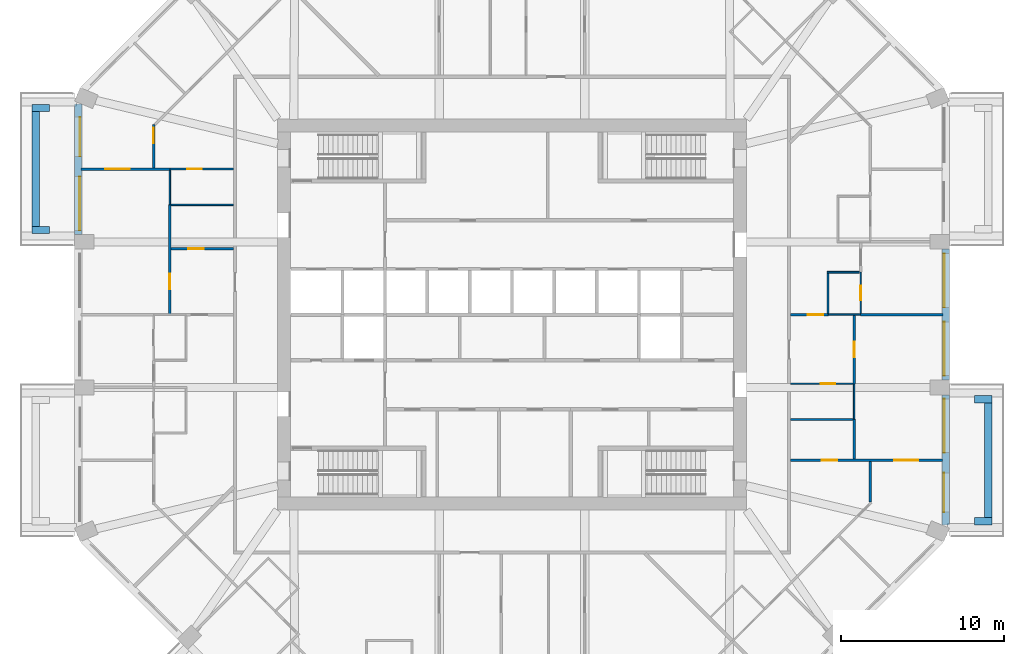
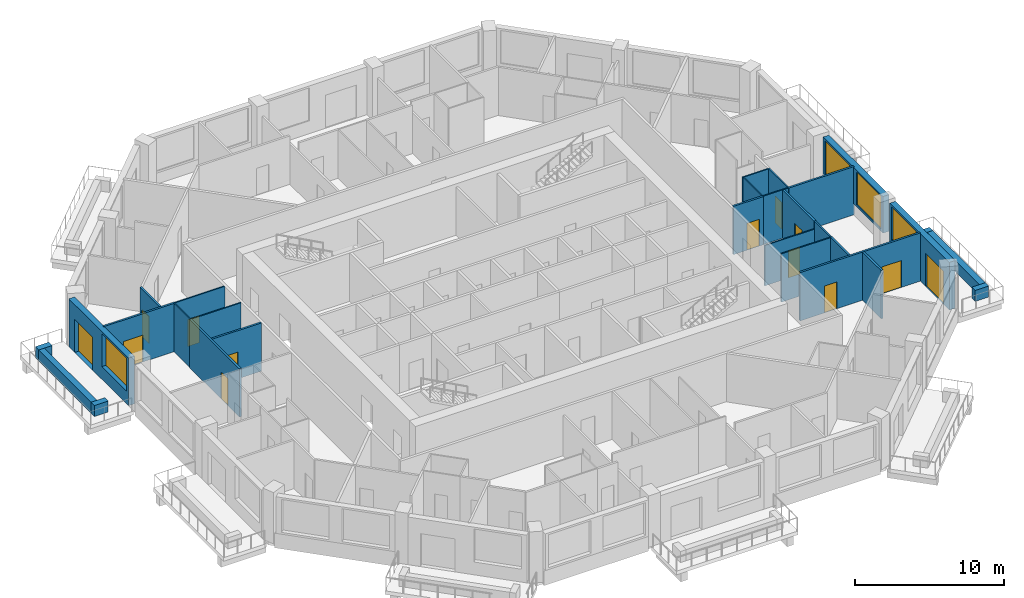
# One storey, part 7 of 13: 29 walls, 13 doors, 4 windows, 17 openings.
"""IFC4 building model written with IfcOpenShell, lengths in metres."""

import ifcopenshell
import ifcopenshell.guid

model = None  # the IFC model being written
_history = None  # IfcOwnerHistory: only IFC2X3 demands one
_inside = {}  # id of a spatial element -> (the spatial element, [elements in it])
_under = {}  # id of a project, library or spatial element -> (it, [spatial elements below it])
_declared = {}  # id of a project -> (the project, [libraries it declares])
_typed = {}  # id of a type object -> (the type object, [elements of that type])
_made_of = {}  # id of a material, layer set ... -> (it, [elements and type objects made of it])


def new_model(schema):
    """Start an empty IFC model of exactly this schema.

    Asked for "IFC4X3", IfcOpenShell would pick the latest addendum, in which some entities
    have other attributes; the version numbers below select the first issue.
    IFC2X3 requires an IfcOwnerHistory on every rooted entity: one is made here for all.
    """
    global model, _history
    if schema == "IFC4X3":
        model = ifcopenshell.file(schema_version=(4, 3, 0, 0))
    else:
        model = ifcopenshell.file(schema=schema)
    _inside.clear()
    _under.clear()
    _declared.clear()
    _typed.clear()
    _made_of.clear()
    _history = None
    if model.schema == "IFC2X3":
        org = make("IfcOrganization", Name="unknown")
        user = make(
            "IfcPersonAndOrganization",
            ThePerson=make("IfcPerson", FamilyName="unknown"),
            TheOrganization=org,
        )
        app = make(
            "IfcApplication",
            ApplicationDeveloper=org,
            Version="unknown",
            ApplicationFullName="unknown",
            ApplicationIdentifier="unknown",
        )
        _history = make(
            "IfcOwnerHistory",
            OwningUser=user,
            OwningApplication=app,
            ChangeAction="ADDED",
            CreationDate=0,
        )
    return model


def make(cls, **values):
    """One entity of the class cls with the attributes given. An attribute that is None is left unset."""
    return model.create_entity(
        cls, **{name: value for name, value in values.items() if value is not None}
    )


def rooted(cls, **values):
    """An entity with a GlobalId (a new one), such as an element, a storey or a relation."""
    return make(cls, GlobalId=ifcopenshell.guid.new(), OwnerHistory=_history, **values)


def si_unit(unit_type, name, prefix=None):
    """IfcSIUnit, for example si_unit("LENGTHUNIT", "METRE", prefix="MILLI")."""
    return make("IfcSIUnit", UnitType=unit_type, Prefix=prefix, Name=name)


def assignment(units):
    """IfcUnitAssignment: the units of a project."""
    return None if units is None else make("IfcUnitAssignment", Units=units)


def point(xyz):
    """IfcCartesianPoint."""
    return None if xyz is None else make("IfcCartesianPoint", Coordinates=xyz)


def direction(xyz):
    """IfcDirection."""
    return None if xyz is None else make("IfcDirection", DirectionRatios=xyz)


def frame(location, z_axis=None, x_axis=None):
    """IfcAxis2Placement3D, a coordinate frame: its origin and axes. An axis left out is left unset."""
    return make(
        "IfcAxis2Placement3D",
        Location=point(location),
        Axis=direction(z_axis),
        RefDirection=direction(x_axis),
    )


def frame_2d(location, x_axis=None):
    """IfcAxis2Placement2D, a coordinate frame in the plane: its origin and x axis."""
    return make(
        "IfcAxis2Placement2D", Location=point(location), RefDirection=direction(x_axis)
    )


def origin():
    """The frame at (0, 0, 0) with its axes left unset."""
    return frame((0.0, 0.0, 0.0))


def place(relative_to, where):
    """IfcLocalPlacement: puts the frame where relative to a parent placement (None: the world)."""
    return make(
        "IfcLocalPlacement", PlacementRelTo=relative_to, RelativePlacement=where
    )


def context(
    kind, dimensions, precision=None, world=None, true_north=None, identifier=None
):
    """IfcGeometricRepresentationContext, for example the 3D "Model" context."""
    return make(
        "IfcGeometricRepresentationContext",
        ContextIdentifier=identifier,
        ContextType=kind,
        CoordinateSpaceDimension=dimensions,
        Precision=precision,
        WorldCoordinateSystem=world,
        TrueNorth=true_north,
    )


def subcontext(parent, identifier, kind, view, scale=None):
    """IfcGeometricRepresentationSubContext, for example "Body" below "Model"."""
    return make(
        "IfcGeometricRepresentationSubContext",
        ContextIdentifier=identifier,
        ContextType=kind,
        ParentContext=parent,
        TargetScale=scale,
        TargetView=view,
    )


def project(units=None, contexts=None):
    """IfcProject with its units and contexts."""
    return rooted(
        "IfcProject",
        Name="project",
        RepresentationContexts=contexts,
        UnitsInContext=assignment(units),
    )


def spatial(cls, under=None, at=None, **own):
    """A site, building, storey or space (cls), placed at a placement, below another one or the project."""
    s = rooted(cls, ObjectPlacement=at, **own)
    if under is not None:
        _under.setdefault(under.id(), (under, []))[1].append(s)
    return s


def profile(cls, at=None, kind="AREA", **sizes):
    """A parametric profile (cls). Its sizes go by their IFC names, for example OverallWidth=200.0."""
    return make(cls, ProfileType=kind, Position=at, **sizes)


def rectangle(**sizes):
    """IfcRectangleProfileDef."""
    return profile("IfcRectangleProfileDef", **sizes)


def extrude(swept, where, along, depth):
    """IfcExtrudedAreaSolid: the profile swept, set in the frame where, extruded along a direction by depth."""
    return make(
        "IfcExtrudedAreaSolid",
        SweptArea=swept,
        Position=where,
        ExtrudedDirection=direction(along),
        Depth=depth,
    )


def shape(context_of_items, identifier, shape_type, items):
    """IfcShapeRepresentation: the items that make up one representation, for example the "Body"."""
    return make(
        "IfcShapeRepresentation",
        ContextOfItems=context_of_items,
        RepresentationIdentifier=identifier,
        RepresentationType=shape_type,
        Items=items,
    )


def material(Name=None, Category=None):
    """IfcMaterial."""
    return make("IfcMaterial", Name=Name, Category=Category)


def layer(
    of_material, thickness, ventilated=None, Name=None, Category=None, Priority=None
):
    """IfcMaterialLayer: one layer of a wall or slab, of a material (None: an air gap)."""
    return make(
        "IfcMaterialLayer",
        Material=of_material,
        LayerThickness=thickness,
        IsVentilated=ventilated,
        Name=Name,
        Category=Category,
        Priority=Priority,
    )


def layer_set(layers, Name=None):
    """IfcMaterialLayerSet."""
    return make("IfcMaterialLayerSet", MaterialLayers=layers, LayerSetName=Name)


def made_of(thing, what):
    """Note that an element or type object is made of a material, layer set ...; save() writes the relation."""
    if what is not None:
        _made_of.setdefault(what.id(), (what, []))[1].append(thing)
    return thing


def type_object(cls, material=None, **own):
    """A type object (cls), such as IfcWallType, which elements share."""
    return made_of(rooted(cls, **own), material)


def element(
    cls,
    number,
    at=None,
    inside=None,
    cuts=None,
    type_object=None,
    material=None,
    context=None,
    identifier="Body",
    shape_type=None,
    held_by="IfcProductDefinitionShape",
    body=None,
    shapes=None,
    **own,
):
    """One element of the class cls, such as IfcWall. Its Tag is "e" and its number.

    at: its placement. inside: the storey or other place that contains it. cuts: it is an
    opening in that element (IfcRelVoidsElement). A single representation is given by context,
    identifier, shape_type and body (its items); several are given by shapes. held_by: the class
    of the entity that holds the representations. save() writes the other relations.
    """
    e = rooted(cls, Tag="e%d" % number, ObjectPlacement=at, **own)
    if body is not None:
        shapes = [shape(context, identifier, shape_type, body)]
    if shapes is not None:
        e.Representation = make(held_by, Representations=shapes)
    if inside is not None:
        _inside.setdefault(inside.id(), (inside, []))[1].append(e)
    if cuts is not None:
        rooted(
            "IfcRelVoidsElement", RelatingBuildingElement=cuts, RelatedOpeningElement=e
        )
    if type_object is not None:
        _typed.setdefault(type_object.id(), (type_object, []))[1].append(e)
    return made_of(e, material)


def fill(opening, filler):
    """IfcRelFillsElement: the door or window that sits in an opening."""
    return rooted(
        "IfcRelFillsElement",
        RelatingOpeningElement=opening,
        RelatedBuildingElement=filler,
    )


def aggregate(whole, parts):
    """IfcRelAggregates: a whole, such as a stair, and the parts it consists of."""
    return rooted("IfcRelAggregates", RelatingObject=whole, RelatedObjects=parts)


def save(model, path):
    """Write the relations noted so far, then the file.

    IfcRelAggregates (storeys below a building ...), IfcRelContainedInSpatialStructure (elements
    in a storey), IfcRelDefinesByType, IfcRelAssociatesMaterial and IfcRelDeclares: one each for
    every whole, place, type object, material and project.
    """
    for whole, parts in _under.values():
        aggregate(whole, parts)
    for where, things in _inside.values():
        rooted(
            "IfcRelContainedInSpatialStructure",
            RelatedElements=things,
            RelatingStructure=where,
        )
    for kind, things in _typed.values():
        rooted("IfcRelDefinesByType", RelatedObjects=things, RelatingType=kind)
    for what, things in _made_of.values():
        rooted("IfcRelAssociatesMaterial", RelatedObjects=things, RelatingMaterial=what)
    for by, libraries in _declared.values():
        rooted("IfcRelDeclares", RelatingContext=by, RelatedDefinitions=libraries)
    model.write(path)


model = new_model("IFC4")

# Units and contexts
model_context = context("Model", 3, precision=1e-05, world=origin(), true_north=direction((0.0, 1.0)))
body_context = subcontext(model_context, "Body", "Model", "MODEL_VIEW")
ifc_project = project(units=[si_unit("LENGTHUNIT", "METRE"), si_unit("AREAUNIT", "SQUARE_METRE"), si_unit("VOLUMEUNIT", "CUBIC_METRE"), si_unit("PLANEANGLEUNIT", "RADIAN"), si_unit("MASSUNIT", "GRAM", prefix="KILO")], contexts=[model_context])

# Site, building, storey
site_placement = place(None, origin())
site = spatial("IfcSite", under=ifc_project, at=site_placement, CompositionType="ELEMENT")
building_placement = place(site_placement, origin())
building = spatial("IfcBuilding", under=site, at=building_placement, Name="Msitu Wima Residences", CompositionType="ELEMENT")
storey_placement = place(building_placement, frame((0.0, 0.0, 131.699951171875)))
storey = spatial("IfcBuildingStorey", under=building, at=storey_placement, Name="L30", CompositionType="ELEMENT", Elevation=131.699951171875)

# Walls
ifc_material_1 = material(Name="Facing brick")
ifc_layer_1 = layer(ifc_material_1, 0.06494140625, Name="Facing brick")
ifc_material_2 = material(Name="Concrete C40/50", Category="concrete")
ifc_layer_2 = layer(ifc_material_2, 0.156005859375, Name="Concrete C40/50")
ifc_material_3 = material(Name="Waterproofing membrane")
ifc_layer_3 = layer(ifc_material_3, 0.00390625, Name="Waterproofing membrane")
ifc_material_4 = material(Name="Planting soil and planting")
ifc_layer_4 = layer(ifc_material_4, 0.22509765625, Name="Planting soil and planting")
ifc_layer_set_1 = layer_set([ifc_layer_1, ifc_layer_2, ifc_layer_3, ifc_layer_4], Name="Concrete C40/50")
wall_type_1 = type_object("IfcWallType", Name="Balcony planter PLANTER PL450", PredefinedType="USERDEFINED", material=ifc_layer_set_1)
wall_1_placement = place(storey_placement, frame((29.22509765625, -12.455810546875, 0.0), z_axis=(0.0, 0.0, 1.0), x_axis=(0.0, 1.0, 0.0)))
element("IfcWall", 1, at=wall_1_placement, inside=storey, type_object=wall_type_1, Name="Balcony planter E0 L30", ObjectType="PLANTER", PredefinedType="USERDEFINED", context=body_context, shape_type="SweptSolid", body=[
    extrude(rectangle(XDim=7.037109375, YDim=0.449951171875, at=frame_2d((3.5185546875, 0.0))), origin(), (0.0, 0.0, 1.0), 0.900146484375),
])
for number, where, z_axis, x_axis, name in (
    (2, (28.39990234375, -12.680908203125, 0.0), (0.0, 0.0, 1.0), (1.0, 0.0, 0.0), "Balcony planter E0 L30"),
    (3, (28.39990234375, -5.193603515625, 0.0), (0.0, 0.0, 1.0), (1.0, 0.0, 0.0), "Balcony planter E0 L30"),
):
    element("IfcWall", number, at=place(storey_placement, frame(where, z_axis=z_axis, x_axis=x_axis)), inside=storey, type_object=wall_type_1, Name=name, ObjectType="PLANTER", PredefinedType="USERDEFINED", context=body_context, shape_type="SweptSolid", body=[
        extrude(rectangle(XDim=1.050048828125, YDim=0.449951171875, at=frame_2d((0.52490234375, 0.0))), origin(), (0.0, 0.0, 1.0), 0.900146484375),
    ])
wall_2_placement = place(storey_placement, frame((-29.22509765625, 12.455810546875, 0.0), z_axis=(0.0, 0.0, 1.0), x_axis=(0.0, -1.0, 0.0)))
element("IfcWall", 4, at=wall_2_placement, inside=storey, type_object=wall_type_1, Name="Balcony planter W0 L30", ObjectType="PLANTER", PredefinedType="USERDEFINED", context=body_context, shape_type="SweptSolid", body=[
    extrude(rectangle(XDim=7.037109375, YDim=0.449951171875, at=frame_2d((3.5185546875, 0.0))), origin(), (0.0, 0.0, 1.0), 0.900146484375),
])
for number, where, z_axis, x_axis, name in (
    (5, (-28.39990234375, 12.680908203125, 0.0), (0.0, 0.0, 1.0), (-1.0, 0.0, 0.0), "Balcony planter W0 L30"),
    (6, (-28.39990234375, 5.193603515625, 0.0), (0.0, 0.0, 1.0), (-1.0, 0.0, 0.0), "Balcony planter W0 L30"),
):
    element("IfcWall", number, at=place(storey_placement, frame(where, z_axis=z_axis, x_axis=x_axis)), inside=storey, type_object=wall_type_1, Name=name, ObjectType="PLANTER", PredefinedType="USERDEFINED", context=body_context, shape_type="SweptSolid", body=[
        extrude(rectangle(XDim=1.050048828125, YDim=0.449951171875, at=frame_2d((0.52490234375, 0.0))), origin(), (0.0, 0.0, 1.0), 0.900146484375),
    ])

# Wall, openings, door, window
ifc_material_5 = material(Name="Brick (red buff mix)", Category="masonry")
ifc_layer_5 = layer(ifc_material_5, 0.449951171875)
ifc_layer_set_2 = layer_set([ifc_layer_5], Name="Brick (red buff mix)")
wall_type_2 = type_object("IfcWallType", Name="Brick infill wall BW450", PredefinedType="SOLIDWALL", material=ifc_layer_set_2)
wall_3_placement = place(storey_placement, frame((26.625, -12.918701171875, 0.0), z_axis=(0.0, 0.0, 1.0), x_axis=(0.0, 1.0, 0.0)))
wall_3 = element("IfcWall", 7, at=wall_3_placement, inside=storey, type_object=wall_type_2, Name="Brick infill wall L30 E0", PredefinedType="SOLIDWALL", context=body_context, shape_type="SweptSolid", body=[
    extrude(rectangle(XDim=8.0, YDim=0.449951171875, at=frame_2d((4.0, 0.0))), origin(), (0.0, 0.0, 1.0), 3.900146484375),
])
opening_1_placement = place(wall_3_placement, frame((0.800048828125, 0.0, 0.0)))
opening_1 = element("IfcOpeningElement", 8, at=opening_1_placement, cuts=wall_3, Name="Opening D30-32.001", PredefinedType="OPENING", context=body_context, shape_type="SweptSolid", body=[
    extrude(rectangle(XDim=2.39990234375, YDim=2.699951171875, at=frame_2d((1.199951171875, 1.35009765625))), frame((0.0, 0.23486328125, 0.0), z_axis=(0.0, -1.0, 0.0), x_axis=(1.0, 0.0, 0.0)), (0.0, 0.0, 1.0), 0.469970703125),
])
opening_2_placement = place(wall_3_placement, frame((4.4501953125, 0.0, 1.050048828125)))
opening_2 = element("IfcOpeningElement", 9, at=opening_2_placement, cuts=wall_3, Name="Opening W30-32.001", PredefinedType="OPENING", context=body_context, shape_type="SweptSolid", body=[
    extrude(rectangle(XDim=3.300048828125, YDim=2.699951171875, at=frame_2d((1.64990234375, 1.35009765625))), frame((0.0, 0.23486328125, 0.0), z_axis=(0.0, -1.0, 0.0), x_axis=(1.0, 0.0, 0.0)), (0.0, 0.0, 1.0), 0.469970703125),
])
ifc_material_6 = material(Name="Anodised aluminium, bronze finish, clear low-emissivity double glazing", Category="aluminium")
door_type_1 = type_object("IfcDoorType", Name="Balcony door D2400x2700", OperationType="SLIDING_TO_LEFT", PredefinedType="DOOR", material=ifc_material_6)
door_1_placement = place(opening_1_placement, origin())
door_1 = element("IfcDoor", 10, at=door_1_placement, inside=storey, type_object=door_type_1, Name="Balcony door L30 E0", OperationType="SINGLE_SWING_LEFT", OverallHeight=2.699951171875, OverallWidth=2.39990234375, PredefinedType="DOOR", context=body_context, shape_type="SweptSolid", body=[
    extrude(rectangle(XDim=2.39990234375, YDim=2.699951171875, at=frame_2d((1.199951171875, 1.35009765625))), frame((0.0, 0.1298828125, 0.0), z_axis=(0.0, -1.0, 0.0), x_axis=(1.0, 0.0, 0.0)), (0.0, 0.0, 1.0), 0.050048828125),
])
fill(opening_1, door_1)
window_type = type_object("IfcWindowType", Name="Window W3300x2700", PartitioningType="DOUBLE_PANEL_VERTICAL", PredefinedType="WINDOW", material=ifc_material_6)
window_1_placement = place(opening_2_placement, origin())
window_1 = element("IfcWindow", 11, at=window_1_placement, inside=storey, type_object=window_type, Name="Window L30 E0.2", OverallHeight=2.699951171875, OverallWidth=3.300048828125, PartitioningType="SINGLE_PANEL", PredefinedType="WINDOW", context=body_context, shape_type="SweptSolid", body=[
    extrude(rectangle(XDim=3.300048828125, YDim=2.699951171875, at=frame_2d((1.64990234375, 1.35009765625))), frame((0.0, 0.135009765625, 0.0), z_axis=(0.0, -1.0, 0.0), x_axis=(1.0, 0.0, 0.0)), (0.0, 0.0, 1.0), 0.06005859375),
])
fill(opening_2, window_1)

# Wall, openings, windows
wall_4_placement = place(storey_placement, frame((26.625, -4.0185546875, 0.900146484375), z_axis=(0.0, 0.0, 1.0), x_axis=(0.0, 1.0, 0.0)))
wall_4 = element("IfcWall", 12, at=wall_4_placement, inside=storey, type_object=wall_type_2, Name="Brick infill wall L30 E1", PredefinedType="SOLIDWALL", context=body_context, shape_type="SweptSolid", body=[
    extrude(rectangle(XDim=8.037109375, YDim=0.449951171875, at=frame_2d((4.0185546875, 0.0))), origin(), (0.0, 0.0, 1.0), 3.0),
])
opening_3_placement = place(wall_4_placement, frame((0.2685546875, 0.0, 0.14990234375)))
opening_3 = element("IfcOpeningElement", 13, at=opening_3_placement, cuts=wall_4, Name="Opening W30-32.002", PredefinedType="OPENING", context=body_context, shape_type="SweptSolid", body=[
    extrude(rectangle(XDim=3.300048828125, YDim=2.699951171875, at=frame_2d((1.64990234375, 1.35009765625))), frame((0.0, 0.23486328125, 0.0), z_axis=(0.0, -1.0, 0.0), x_axis=(1.0, 0.0, 0.0)), (0.0, 0.0, 1.0), 0.469970703125),
])
opening_4_placement = place(wall_4_placement, frame((4.46875, 0.0, 0.14990234375)))
opening_4 = element("IfcOpeningElement", 14, at=opening_4_placement, cuts=wall_4, Name="Opening W30-32.003", PredefinedType="OPENING", context=body_context, shape_type="SweptSolid", body=[
    extrude(rectangle(XDim=3.300048828125, YDim=2.699951171875, at=frame_2d((1.64990234375, 1.35009765625))), frame((0.0, 0.23486328125, 0.0), z_axis=(0.0, -1.0, 0.0), x_axis=(1.0, 0.0, 0.0)), (0.0, 0.0, 1.0), 0.469970703125),
])
window_2_placement = place(opening_3_placement, origin())
window_2 = element("IfcWindow", 15, at=window_2_placement, inside=storey, type_object=window_type, Name="Window L30 E1.1", OverallHeight=2.699951171875, OverallWidth=3.300048828125, PartitioningType="SINGLE_PANEL", PredefinedType="WINDOW", context=body_context, shape_type="SweptSolid", body=[
    extrude(rectangle(XDim=3.300048828125, YDim=2.699951171875, at=frame_2d((1.64990234375, 1.35009765625))), frame((0.0, 0.135009765625, 0.0), z_axis=(0.0, -1.0, 0.0), x_axis=(1.0, 0.0, 0.0)), (0.0, 0.0, 1.0), 0.06005859375),
])
fill(opening_3, window_2)
window_3_placement = place(opening_4_placement, origin())
window_3 = element("IfcWindow", 16, at=window_3_placement, inside=storey, type_object=window_type, Name="Window L30 E1.2", OverallHeight=2.699951171875, OverallWidth=3.300048828125, PartitioningType="SINGLE_PANEL", PredefinedType="WINDOW", context=body_context, shape_type="SweptSolid", body=[
    extrude(rectangle(XDim=3.300048828125, YDim=2.699951171875, at=frame_2d((1.64990234375, 1.35009765625))), frame((0.0, 0.135009765625, 0.0), z_axis=(0.0, -1.0, 0.0), x_axis=(1.0, 0.0, 0.0)), (0.0, 0.0, 1.0), 0.06005859375),
])
fill(opening_4, window_3)

# Wall, openings, door, window
wall_5_placement = place(storey_placement, frame((-26.625, 12.918701171875, 0.0), z_axis=(0.0, 0.0, 1.0), x_axis=(0.0, -1.0, 0.0)))
wall_5 = element("IfcWall", 17, at=wall_5_placement, inside=storey, type_object=wall_type_2, Name="Brick infill wall L30 W0", PredefinedType="SOLIDWALL", context=body_context, shape_type="SweptSolid", body=[
    extrude(rectangle(XDim=8.0, YDim=0.449951171875, at=frame_2d((4.0, 0.0))), origin(), (0.0, 0.0, 1.0), 3.900146484375),
])
opening_5_placement = place(wall_5_placement, frame((0.800048828125, 0.0, 0.0)))
opening_5 = element("IfcOpeningElement", 18, at=opening_5_placement, cuts=wall_5, Name="Opening D30-32.009", PredefinedType="OPENING", context=body_context, shape_type="SweptSolid", body=[
    extrude(rectangle(XDim=2.39990234375, YDim=2.699951171875, at=frame_2d((1.199951171875, 1.35009765625))), frame((0.0, 0.23486328125, 0.0), z_axis=(0.0, -1.0, 0.0), x_axis=(1.0, 0.0, 0.0)), (0.0, 0.0, 1.0), 0.469970703125),
])
opening_6_placement = place(wall_5_placement, frame((4.4501953125, 0.0, 1.050048828125)))
opening_6 = element("IfcOpeningElement", 19, at=opening_6_placement, cuts=wall_5, Name="Opening W30-32.027", PredefinedType="OPENING", context=body_context, shape_type="SweptSolid", body=[
    extrude(rectangle(XDim=3.300048828125, YDim=2.699951171875, at=frame_2d((1.64990234375, 1.35009765625))), frame((0.0, 0.23486328125, 0.0), z_axis=(0.0, -1.0, 0.0), x_axis=(1.0, 0.0, 0.0)), (0.0, 0.0, 1.0), 0.469970703125),
])
door_2_placement = place(opening_5_placement, origin())
door_2 = element("IfcDoor", 20, at=door_2_placement, inside=storey, type_object=door_type_1, Name="Balcony door L30 W0", OperationType="SINGLE_SWING_LEFT", OverallHeight=2.699951171875, OverallWidth=2.39990234375, PredefinedType="DOOR", context=body_context, shape_type="SweptSolid", body=[
    extrude(rectangle(XDim=2.39990234375, YDim=2.699951171875, at=frame_2d((1.199951171875, 1.35009765625))), frame((0.0, 0.1298828125, 0.0), z_axis=(0.0, -1.0, 0.0), x_axis=(1.0, 0.0, 0.0)), (0.0, 0.0, 1.0), 0.050048828125),
])
fill(opening_5, door_2)
window_4_placement = place(opening_6_placement, origin())
window_4 = element("IfcWindow", 21, at=window_4_placement, inside=storey, type_object=window_type, Name="Window L30 W0.2", OverallHeight=2.699951171875, OverallWidth=3.300048828125, PartitioningType="SINGLE_PANEL", PredefinedType="WINDOW", context=body_context, shape_type="SweptSolid", body=[
    extrude(rectangle(XDim=3.300048828125, YDim=2.699951171875, at=frame_2d((1.64990234375, 1.35009765625))), frame((0.0, 0.135009765625, 0.0), z_axis=(0.0, -1.0, 0.0), x_axis=(1.0, 0.0, 0.0)), (0.0, 0.0, 1.0), 0.06005859375),
])
fill(opening_6, window_4)

# Wall, opening, door
ifc_material_7 = material(Name="Plaster")
ifc_layer_6 = layer(ifc_material_7, 0.011962890625, Name="Plaster")
ifc_material_8 = material(Name="Concrete blockwork", Category="masonry")
ifc_layer_7 = layer(ifc_material_8, 0.1259765625, Name="Concrete blockwork")
ifc_layer_8 = layer(ifc_material_7, 0.011962890625, Name="Plaster")
ifc_layer_set_3 = layer_set([ifc_layer_6, ifc_layer_7, ifc_layer_8], Name="Concrete blockwork")
wall_type_3 = type_object("IfcWallType", Name="Partition PW150", PredefinedType="PARTITIONING", material=ifc_layer_set_3)
wall_6_placement = place(storey_placement, frame((-26.455078125, 8.937255859375, 0.0), z_axis=(0.0, 0.0, 1.0), x_axis=(1.0, 0.0, 0.0)))
wall_6 = element("IfcWall", 22, at=wall_6_placement, inside=storey, type_object=wall_type_3, Name="Partition", PredefinedType="PARTITIONING", context=body_context, shape_type="SweptSolid", body=[
    extrude(rectangle(XDim=5.47509765625, YDim=0.14990234375, at=frame_2d((2.737548828125, 0.0))), origin(), (0.0, 0.0, 1.0), 3.949951171875),
])
opening_7_placement = place(wall_6_placement, frame((1.5, 0.0, 0.0)))
opening_7 = element("IfcOpeningElement", 23, at=opening_7_placement, cuts=wall_6, Name="Opening D30-32.046", PredefinedType="OPENING", context=body_context, shape_type="SweptSolid", body=[
    extrude(rectangle(XDim=1.5, YDim=2.199951171875, at=frame_2d((0.75, 1.10009765625))), frame((0.0, 0.0849609375, 0.0), z_axis=(0.0, -1.0, 0.0), x_axis=(1.0, 0.0, 0.0)), (0.0, 0.0, 1.0), 0.169921875),
])
ifc_material_9 = material(Name="Timber double door", Category="wood")
door_type_2 = type_object("IfcDoorType", Name="Double door D04 1500x2200", OperationType="DOUBLE_DOOR_SINGLE_SWING", PredefinedType="DOOR", material=ifc_material_9)
door_3_placement = place(opening_7_placement, origin())
door_3 = element("IfcDoor", 24, at=door_3_placement, inside=storey, type_object=door_type_2, Name="Double door", OperationType="DOUBLE_DOOR_SINGLE_SWING", OverallHeight=2.199951171875, OverallWidth=1.5, PredefinedType="DOOR", context=body_context, shape_type="SweptSolid", body=[
    extrude(rectangle(XDim=1.5, YDim=2.199951171875, at=frame_2d((0.75, 1.10009765625))), frame((0.0, 0.02490234375, 0.0), z_axis=(0.0, -1.0, 0.0), x_axis=(1.0, 0.0, 0.0)), (0.0, 0.0, 1.0), 0.050048828125),
])
fill(opening_7, door_3)

wall_7_placement = place(storey_placement, frame((-22.0, 9.01220703125, 0.0), z_axis=(0.0, 0.0, 1.0), x_axis=(0.0, 1.0, 0.0)))
wall_7 = element("IfcWall", 25, at=wall_7_placement, inside=storey, type_object=wall_type_3, Name="Partition", PredefinedType="PARTITIONING", context=body_context, shape_type="SweptSolid", body=[
    extrude(rectangle(XDim=2.646240234375, YDim=0.14990234375, at=frame_2d((1.3232421875, 0.0))), origin(), (0.0, 0.0, 1.0), 3.949951171875),
])
opening_8_placement = place(wall_7_placement, frame((1.5, 0.0, 0.0)))
opening_8 = element("IfcOpeningElement", 26, at=opening_8_placement, cuts=wall_7, Name="Opening D30-32.055", PredefinedType="OPENING", context=body_context, shape_type="SweptSolid", body=[
    extrude(rectangle(XDim=0.949951171875, YDim=2.199951171875, at=frame_2d((0.47509765625, 1.10009765625))), frame((0.0, 0.0849609375, 0.0), z_axis=(0.0, -1.0, 0.0), x_axis=(1.0, 0.0, 0.0)), (0.0, 0.0, 1.0), 0.169921875),
])
ifc_material_10 = material(Name="Timber flush door", Category="wood")
door_type_3 = type_object("IfcDoorType", Name="Room door D12 950x2200", OperationType="SINGLE_SWING_LEFT", PredefinedType="DOOR", material=ifc_material_10)
door_4_placement = place(opening_8_placement, origin())
door_4 = element("IfcDoor", 27, at=door_4_placement, inside=storey, type_object=door_type_3, Name="Room door", OperationType="SINGLE_SWING_LEFT", OverallHeight=2.199951171875, OverallWidth=0.949951171875, PredefinedType="DOOR", context=body_context, shape_type="SweptSolid", body=[
    extrude(rectangle(XDim=0.949951171875, YDim=2.199951171875, at=frame_2d((0.47509765625, 1.10009765625))), frame((0.0, 0.02490234375, 0.0), z_axis=(0.0, -1.0, 0.0), x_axis=(1.0, 0.0, 0.0)), (0.0, 0.0, 1.0), 0.050048828125),
])
fill(opening_8, door_4)

wall_8_placement = place(storey_placement, frame((-21.0, 0.050048828125, 0.0), z_axis=(0.0, 0.0, 1.0), x_axis=(0.0, 1.0, 0.0)))
wall_8 = element("IfcWall", 28, at=wall_8_placement, inside=storey, type_object=wall_type_3, Name="Partition", PredefinedType="PARTITIONING", context=body_context, shape_type="SweptSolid", body=[
    extrude(rectangle(XDim=6.707275390625, YDim=0.14990234375, at=frame_2d((3.353515625, 0.0))), origin(), (0.0, 0.0, 1.0), 3.949951171875),
])
opening_9_placement = place(wall_8_placement, frame((1.5, 0.0, 0.0)))
opening_9 = element("IfcOpeningElement", 29, at=opening_9_placement, cuts=wall_8, Name="Opening D30-32.045", PredefinedType="OPENING", context=body_context, shape_type="SweptSolid", body=[
    extrude(rectangle(XDim=0.949951171875, YDim=2.199951171875, at=frame_2d((0.47509765625, 1.10009765625))), frame((0.0, 0.0849609375, 0.0), z_axis=(0.0, -1.0, 0.0), x_axis=(1.0, 0.0, 0.0)), (0.0, 0.0, 1.0), 0.169921875),
])
door_5_placement = place(opening_9_placement, origin())
door_5 = element("IfcDoor", 30, at=door_5_placement, inside=storey, type_object=door_type_3, Name="Room door", OperationType="SINGLE_SWING_LEFT", OverallHeight=2.199951171875, OverallWidth=0.949951171875, PredefinedType="DOOR", context=body_context, shape_type="SweptSolid", body=[
    extrude(rectangle(XDim=0.949951171875, YDim=2.199951171875, at=frame_2d((0.47509765625, 1.10009765625))), frame((0.0, 0.02490234375, 0.0), z_axis=(0.0, -1.0, 0.0), x_axis=(1.0, 0.0, 0.0)), (0.0, 0.0, 1.0), 0.050048828125),
])
fill(opening_9, door_5)

wall_9_placement = place(storey_placement, frame((-20.925048828125, 4.037353515625, 0.0), z_axis=(0.0, 0.0, 1.0), x_axis=(1.0, 0.0, 0.0)))
wall_9 = element("IfcWall", 31, at=wall_9_placement, inside=storey, type_object=wall_type_3, Name="Partition", PredefinedType="PARTITIONING", context=body_context, shape_type="SweptSolid", body=[
    extrude(rectangle(XDim=3.824951171875, YDim=0.14990234375, at=frame_2d((1.91259765625, 0.0))), origin(), (0.0, 0.0, 1.0), 3.949951171875),
])
opening_10_placement = place(wall_9_placement, frame((1.050048828125, 0.0, 0.0)))
opening_10 = element("IfcOpeningElement", 32, at=opening_10_placement, cuts=wall_9, Name="Opening D30-32.053", PredefinedType="OPENING", context=body_context, shape_type="SweptSolid", body=[
    extrude(rectangle(XDim=0.949951171875, YDim=2.199951171875, at=frame_2d((0.47509765625, 1.10009765625))), frame((0.0, 0.0849609375, 0.0), z_axis=(0.0, -1.0, 0.0), x_axis=(1.0, 0.0, 0.0)), (0.0, 0.0, 1.0), 0.169921875),
])
door_6_placement = place(opening_10_placement, origin())
door_6 = element("IfcDoor", 33, at=door_6_placement, inside=storey, type_object=door_type_3, Name="Room door", OperationType="SINGLE_SWING_LEFT", OverallHeight=2.199951171875, OverallWidth=0.949951171875, PredefinedType="DOOR", context=body_context, shape_type="SweptSolid", body=[
    extrude(rectangle(XDim=0.949951171875, YDim=2.199951171875, at=frame_2d((0.47509765625, 1.10009765625))), frame((0.0, 0.02490234375, 0.0), z_axis=(0.0, -1.0, 0.0), x_axis=(1.0, 0.0, 0.0)), (0.0, 0.0, 1.0), 0.050048828125),
])
fill(opening_10, door_6)

# Wall, openings, doors
wall_10_placement = place(storey_placement, frame((17.10009765625, -8.937255859375, 0.0), z_axis=(0.0, 0.0, 1.0), x_axis=(1.0, 0.0, 0.0)))
wall_10 = element("IfcWall", 34, at=wall_10_placement, inside=storey, type_object=wall_type_3, Name="Partition", PredefinedType="PARTITIONING", context=body_context, shape_type="SweptSolid", body=[
    extrude(rectangle(XDim=9.324951171875, YDim=0.14990234375, at=frame_2d((4.66259765625, 0.0))), origin(), (0.0, 0.0, 1.0), 3.949951171875),
])
opening_11_placement = place(wall_10_placement, frame((6.35009765625, 0.0, 0.0)))
opening_11 = element("IfcOpeningElement", 35, at=opening_11_placement, cuts=wall_10, Name="Opening D30-32.081", PredefinedType="OPENING", context=body_context, shape_type="SweptSolid", body=[
    extrude(rectangle(XDim=1.5, YDim=2.199951171875, at=frame_2d((0.75, 1.10009765625))), frame((0.0, 0.0849609375, 0.0), z_axis=(0.0, -1.0, 0.0), x_axis=(1.0, 0.0, 0.0)), (0.0, 0.0, 1.0), 0.169921875),
])
opening_12_placement = place(wall_10_placement, frame((1.89990234375, 0.0, 0.0)))
opening_12 = element("IfcOpeningElement", 36, at=opening_12_placement, cuts=wall_10, Name="Opening D30-32.087", PredefinedType="OPENING", context=body_context, shape_type="SweptSolid", body=[
    extrude(rectangle(XDim=0.949951171875, YDim=2.199951171875, at=frame_2d((0.47509765625, 1.10009765625))), frame((0.0, 0.0849609375, 0.0), z_axis=(0.0, -1.0, 0.0), x_axis=(1.0, 0.0, 0.0)), (0.0, 0.0, 1.0), 0.169921875),
])
door_7_placement = place(opening_11_placement, origin())
door_7 = element("IfcDoor", 37, at=door_7_placement, inside=storey, type_object=door_type_2, Name="Double door", OperationType="DOUBLE_DOOR_SINGLE_SWING", OverallHeight=2.199951171875, OverallWidth=1.5, PredefinedType="DOOR", context=body_context, shape_type="SweptSolid", body=[
    extrude(rectangle(XDim=1.5, YDim=2.199951171875, at=frame_2d((0.75, 1.10009765625))), frame((0.0, 0.02490234375, 0.0), z_axis=(0.0, -1.0, 0.0), x_axis=(1.0, 0.0, 0.0)), (0.0, 0.0, 1.0), 0.050048828125),
])
fill(opening_11, door_7)
door_8_placement = place(opening_12_placement, origin())
door_8 = element("IfcDoor", 38, at=door_8_placement, inside=storey, type_object=door_type_3, Name="Room door", OperationType="SINGLE_SWING_RIGHT", OverallHeight=2.199951171875, OverallWidth=0.949951171875, PredefinedType="DOOR", context=body_context, shape_type="SweptSolid", body=[
    extrude(rectangle(XDim=0.949951171875, YDim=2.199951171875, at=frame_2d((0.47509765625, 1.10009765625))), frame((0.0, 0.02490234375, 0.0), z_axis=(0.0, -1.0, 0.0), x_axis=(1.0, 0.0, 0.0)), (0.0, 0.0, 1.0), 0.050048828125),
])
fill(opening_12, door_8)

# Wall, opening, door
wall_11_placement = place(storey_placement, frame((17.10009765625, 0.0, 0.0), z_axis=(0.0, 0.0, 1.0), x_axis=(1.0, 0.0, 0.0)))
wall_11 = element("IfcWall", 39, at=wall_11_placement, inside=storey, type_object=wall_type_3, Name="Partition", PredefinedType="PARTITIONING", context=body_context, shape_type="SweptSolid", body=[
    extrude(rectangle(XDim=2.31982421875, YDim=0.14990234375, at=frame_2d((1.159912109375, 0.0))), origin(), (0.0, 0.0, 1.0), 3.949951171875),
])
opening_13_placement = place(wall_11_placement, frame((1.050048828125, 0.0, 0.0)))
opening_13 = element("IfcOpeningElement", 40, at=opening_13_placement, cuts=wall_11, Name="Opening D30-32.076", PredefinedType="OPENING", context=body_context, shape_type="SweptSolid", body=[
    extrude(rectangle(XDim=0.949951171875, YDim=2.199951171875, at=frame_2d((0.47509765625, 1.10009765625))), frame((0.0, 0.0849609375, 0.0), z_axis=(0.0, -1.0, 0.0), x_axis=(1.0, 0.0, 0.0)), (0.0, 0.0, 1.0), 0.169921875),
])
door_9_placement = place(opening_13_placement, origin())
door_9 = element("IfcDoor", 41, at=door_9_placement, inside=storey, type_object=door_type_3, Name="Room door", OperationType="SINGLE_SWING_RIGHT", OverallHeight=2.199951171875, OverallWidth=0.949951171875, PredefinedType="DOOR", context=body_context, shape_type="SweptSolid", body=[
    extrude(rectangle(XDim=0.949951171875, YDim=2.199951171875, at=frame_2d((0.47509765625, 1.10009765625))), frame((0.0, 0.02490234375, 0.0), z_axis=(0.0, -1.0, 0.0), x_axis=(1.0, 0.0, 0.0)), (0.0, 0.0, 1.0), 0.050048828125),
])
fill(opening_13, door_9)

# Wall
wall_12_placement = place(storey_placement, frame((21.0, -8.8623046875, 0.0), z_axis=(0.0, 0.0, 1.0), x_axis=(0.0, 1.0, 0.0)))
element("IfcWall", 42, at=wall_12_placement, inside=storey, type_object=wall_type_3, Name="Partition", PredefinedType="PARTITIONING", context=body_context, shape_type="SweptSolid", body=[
    extrude(rectangle(XDim=2.445068359375, YDim=0.14990234375, at=frame_2d((1.22265625, 0.0))), origin(), (0.0, 0.0, 1.0), 3.949951171875),
])

# Wall, opening, door
wall_13_placement = place(storey_placement, frame((21.0, -4.25732421875, 0.0), z_axis=(0.0, 0.0, 1.0), x_axis=(0.0, 1.0, 0.0)))
wall_13 = element("IfcWall", 43, at=wall_13_placement, inside=storey, type_object=wall_type_3, Name="Partition", PredefinedType="PARTITIONING", context=body_context, shape_type="SweptSolid", body=[
    extrude(rectangle(XDim=4.207275390625, YDim=0.14990234375, at=frame_2d((2.103515625, 0.0))), origin(), (0.0, 0.0, 1.0), 3.949951171875),
])
opening_14_placement = place(wall_13_placement, frame((1.64990234375, 0.0, 0.0)))
opening_14 = element("IfcOpeningElement", 44, at=opening_14_placement, cuts=wall_13, Name="Opening D30-32.074", PredefinedType="OPENING", context=body_context, shape_type="SweptSolid", body=[
    extrude(rectangle(XDim=0.949951171875, YDim=2.199951171875, at=frame_2d((0.47509765625, 1.10009765625))), frame((0.0, 0.0849609375, 0.0), z_axis=(0.0, -1.0, 0.0), x_axis=(1.0, 0.0, 0.0)), (0.0, 0.0, 1.0), 0.169921875),
])
door_10_placement = place(opening_14_placement, origin())
door_10 = element("IfcDoor", 45, at=door_10_placement, inside=storey, type_object=door_type_3, Name="Room door", OperationType="SINGLE_SWING_LEFT", OverallHeight=2.199951171875, OverallWidth=0.949951171875, PredefinedType="DOOR", context=body_context, shape_type="SweptSolid", body=[
    extrude(rectangle(XDim=0.949951171875, YDim=2.199951171875, at=frame_2d((0.47509765625, 1.10009765625))), frame((0.0, 0.02490234375, 0.0), z_axis=(0.0, -1.0, 0.0), x_axis=(1.0, 0.0, 0.0)), (0.0, 0.0, 1.0), 0.050048828125),
])
fill(opening_14, door_10)

# Walls
wall_14_placement = place(storey_placement, frame((21.3798828125, 0.0, 0.0), z_axis=(0.0, 0.0, 1.0), x_axis=(1.0, 0.0, 0.0)))
element("IfcWall", 46, at=wall_14_placement, inside=storey, type_object=wall_type_3, Name="Partition", PredefinedType="PARTITIONING", context=body_context, shape_type="SweptSolid", body=[
    extrude(rectangle(XDim=5.0751953125, YDim=0.14990234375, at=frame_2d((2.53759765625, 0.0))), origin(), (0.0, 0.0, 1.0), 3.949951171875),
])
wall_15_placement = place(storey_placement, frame((22.0, -11.50830078125, 0.0), z_axis=(0.0, 0.0, 1.0), x_axis=(0.0, 1.0, 0.0)))
element("IfcWall", 47, at=wall_15_placement, inside=storey, type_object=wall_type_3, Name="Partition", PredefinedType="PARTITIONING", context=body_context, shape_type="SweptSolid", body=[
    extrude(rectangle(XDim=2.49609375, YDim=0.14990234375, at=frame_2d((1.248046875, 0.0))), origin(), (0.0, 0.0, 1.0), 3.949951171875),
])

# Wall, opening, door
ifc_material_11 = material(Name="Ceramic tiles")
ifc_layer_9 = layer(ifc_material_11, 0.008056640625, Name="Ceramic tiles")
ifc_material_12 = material(Name="Moisture-resistant board")
ifc_layer_10 = layer(ifc_material_12, 0.012451171875, Name="Moisture-resistant board")
ifc_material_13 = material(Name="Light-gauge stud framing with mineral wool")
ifc_layer_11 = layer(ifc_material_13, 0.06689453125, Name="Light-gauge stud framing with mineral wool")
ifc_layer_12 = layer(ifc_material_12, 0.012451171875, Name="Moisture-resistant board")
ifc_layer_set_4 = layer_set([ifc_layer_9, ifc_layer_10, ifc_layer_11, ifc_layer_12], Name="Light-gauge stud framing with mineral wool")
wall_type_4 = type_object("IfcWallType", Name="Wet wall PW100", PredefinedType="PARTITIONING", material=ifc_layer_set_4)
wall_16_placement = place(storey_placement, frame((-20.97998046875, 8.937255859375, 0.0), z_axis=(0.0, 0.0, 1.0), x_axis=(1.0, 0.0, 0.0)))
wall_16 = element("IfcWall", 48, at=wall_16_placement, inside=storey, type_object=wall_type_4, Name="Wet wall", PredefinedType="PARTITIONING", context=body_context, shape_type="SweptSolid", body=[
    extrude(rectangle(XDim=3.8798828125, YDim=0.10009765625, at=frame_2d((1.93994140625, 0.0))), origin(), (0.0, 0.0, 1.0), 3.949951171875),
])
opening_15_placement = place(wall_16_placement, frame((1.050048828125, 0.0, 0.0)))
opening_15 = element("IfcOpeningElement", 49, at=opening_15_placement, cuts=wall_16, Name="Opening D30-32.058", PredefinedType="OPENING", context=body_context, shape_type="SweptSolid", body=[
    extrude(rectangle(XDim=0.89990234375, YDim=2.199951171875, at=frame_2d((0.449951171875, 1.10009765625))), frame((0.0, 0.06005859375, 0.0), z_axis=(0.0, -1.0, 0.0), x_axis=(1.0, 0.0, 0.0)), (0.0, 0.0, 1.0), 0.1201171875),
])
ifc_material_14 = material(Name="Timber flush door, moisture resistant", Category="wood")
door_type_4 = type_object("IfcDoorType", Name="Bathroom door D03 900x2200", OperationType="SINGLE_SWING_LEFT", PredefinedType="DOOR", material=ifc_material_14)
door_11_placement = place(opening_15_placement, origin())
door_11 = element("IfcDoor", 50, at=door_11_placement, inside=storey, type_object=door_type_4, Name="Bathroom door", OperationType="SINGLE_SWING_RIGHT", OverallHeight=2.199951171875, OverallWidth=0.89990234375, PredefinedType="DOOR", context=body_context, shape_type="SweptSolid", body=[
    extrude(rectangle(XDim=0.89990234375, YDim=2.199951171875, at=frame_2d((0.449951171875, 1.10009765625))), frame((0.0, 0.02490234375, 0.0), z_axis=(0.0, -1.0, 0.0), x_axis=(1.0, 0.0, 0.0)), (0.0, 0.0, 1.0), 0.050048828125),
])
fill(opening_15, door_11)

# Walls
wall_17_placement = place(storey_placement, frame((-21.0, 6.75732421875, 0.0), z_axis=(0.0, 0.0, 1.0), x_axis=(0.0, 1.0, 0.0)))
element("IfcWall", 51, at=wall_17_placement, inside=storey, type_object=wall_type_4, Name="Wet wall", PredefinedType="PARTITIONING", context=body_context, shape_type="SweptSolid", body=[
    extrude(rectangle(XDim=2.10498046875, YDim=0.10009765625, at=frame_2d((1.052490234375, 0.0))), origin(), (0.0, 0.0, 1.0), 3.949951171875),
])
for number, where, z_axis, x_axis, name in (
    (52, (-20.925048828125, 6.7373046875, 0.0), (0.0, 0.0, 1.0), (1.0, 0.0, 0.0), "Wet wall"),
    (53, (17.10009765625, -6.437255859375, 0.0), (0.0, 0.0, 1.0), (1.0, 0.0, 0.0), "Wet wall"),
):
    element("IfcWall", number, at=place(storey_placement, frame(where, z_axis=z_axis, x_axis=x_axis)), inside=storey, type_object=wall_type_4, Name=name, PredefinedType="PARTITIONING", context=body_context, shape_type="SweptSolid", body=[
        extrude(rectangle(XDim=3.824951171875, YDim=0.10009765625, at=frame_2d((1.91259765625, 0.0))), origin(), (0.0, 0.0, 1.0), 3.949951171875),
    ])

# Wall, opening, door
wall_18_placement = place(storey_placement, frame((17.10009765625, -4.2373046875, 0.0), z_axis=(0.0, 0.0, 1.0), x_axis=(1.0, 0.0, 0.0)))
wall_18 = element("IfcWall", 54, at=wall_18_placement, inside=storey, type_object=wall_type_4, Name="Wet wall", PredefinedType="PARTITIONING", context=body_context, shape_type="SweptSolid", body=[
    extrude(rectangle(XDim=3.824951171875, YDim=0.10009765625, at=frame_2d((1.91259765625, 0.0))), origin(), (0.0, 0.0, 1.0), 3.300048828125),
])
opening_16_placement = place(wall_18_placement, frame((1.85009765625, 0.0, 0.0)))
opening_16 = element("IfcOpeningElement", 55, at=opening_16_placement, cuts=wall_18, Name="Opening D30-32.075", PredefinedType="OPENING", context=body_context, shape_type="SweptSolid", body=[
    extrude(rectangle(XDim=0.89990234375, YDim=2.199951171875, at=frame_2d((0.449951171875, 1.10009765625))), frame((0.0, 0.06005859375, 0.0), z_axis=(0.0, -1.0, 0.0), x_axis=(1.0, 0.0, 0.0)), (0.0, 0.0, 1.0), 0.1201171875),
])
door_12_placement = place(opening_16_placement, origin())
door_12 = element("IfcDoor", 56, at=door_12_placement, inside=storey, type_object=door_type_4, Name="Bathroom door", OperationType="SINGLE_SWING_LEFT", OverallHeight=2.199951171875, OverallWidth=0.89990234375, PredefinedType="DOOR", context=body_context, shape_type="SweptSolid", body=[
    extrude(rectangle(XDim=0.89990234375, YDim=2.199951171875, at=frame_2d((0.449951171875, 1.10009765625))), frame((0.0, 0.02490234375, 0.0), z_axis=(0.0, -1.0, 0.0), x_axis=(1.0, 0.0, 0.0)), (0.0, 0.0, 1.0), 0.050048828125),
])
fill(opening_16, door_12)

# Walls
wall_19_placement = place(storey_placement, frame((19.419921875, 0.0, 0.0), z_axis=(0.0, 0.0, 1.0), x_axis=(1.0, 0.0, 0.0)))
element("IfcWall", 57, at=wall_19_placement, inside=storey, type_object=wall_type_4, Name="Wet wall", PredefinedType="PARTITIONING", context=body_context, shape_type="SweptSolid", body=[
    extrude(rectangle(XDim=1.9599609375, YDim=0.10009765625, at=frame_2d((0.97998046875, 0.0))), origin(), (0.0, 0.0, 1.0), 3.949951171875),
])
wall_20_placement = place(storey_placement, frame((19.39990234375, 0.074951171875, 0.0), z_axis=(0.0, 0.0, 1.0), x_axis=(0.0, 1.0, 0.0)))
element("IfcWall", 58, at=wall_20_placement, inside=storey, type_object=wall_type_4, Name="Wet wall", PredefinedType="PARTITIONING", context=body_context, shape_type="SweptSolid", body=[
    extrude(rectangle(XDim=2.47509765625, YDim=0.10009765625, at=frame_2d((1.237548828125, 0.0))), origin(), (0.0, 0.0, 1.0), 3.949951171875),
])
wall_21_placement = place(storey_placement, frame((19.35009765625, 2.60009765625, 0.0), z_axis=(0.0, 0.0, 1.0), x_axis=(1.0, 0.0, 0.0)))
element("IfcWall", 59, at=wall_21_placement, inside=storey, type_object=wall_type_4, Name="Wet wall", PredefinedType="PARTITIONING", context=body_context, shape_type="SweptSolid", body=[
    extrude(rectangle(XDim=1.974853515625, YDim=0.10009765625, at=frame_2d((0.9873046875, 0.0))), origin(), (0.0, 0.0, 1.0), 3.949951171875),
])
wall_22_placement = place(storey_placement, frame((21.0, -6.417236328125, 0.0), z_axis=(0.0, 0.0, 1.0), x_axis=(0.0, 1.0, 0.0)))
element("IfcWall", 60, at=wall_22_placement, inside=storey, type_object=wall_type_4, Name="Wet wall", PredefinedType="PARTITIONING", context=body_context, shape_type="SweptSolid", body=[
    extrude(rectangle(XDim=2.159912109375, YDim=0.10009765625, at=frame_2d((1.080078125, 0.0))), origin(), (0.0, 0.0, 1.0), 3.949951171875),
])

# Wall, opening, door
wall_23_placement = place(storey_placement, frame((21.39990234375, 0.074951171875, 0.0), z_axis=(0.0, 0.0, 1.0), x_axis=(0.0, 1.0, 0.0)))
wall_23 = element("IfcWall", 61, at=wall_23_placement, inside=storey, type_object=wall_type_4, Name="Wet wall", PredefinedType="PARTITIONING", context=body_context, shape_type="SweptSolid", body=[
    extrude(rectangle(XDim=2.545166015625, YDim=0.10009765625, at=frame_2d((1.2724609375, 0.0))), origin(), (0.0, 0.0, 1.0), 3.949951171875),
])
opening_17_placement = place(wall_23_placement, frame((0.800048828125, 0.0, 0.0)))
opening_17 = element("IfcOpeningElement", 62, at=opening_17_placement, cuts=wall_23, Name="Opening D30-32.080", PredefinedType="OPENING", context=body_context, shape_type="SweptSolid", body=[
    extrude(rectangle(XDim=0.89990234375, YDim=2.199951171875, at=frame_2d((0.449951171875, 1.10009765625))), frame((0.0, 0.06005859375, 0.0), z_axis=(0.0, -1.0, 0.0), x_axis=(1.0, 0.0, 0.0)), (0.0, 0.0, 1.0), 0.1201171875),
])
door_13_placement = place(opening_17_placement, origin())
door_13 = element("IfcDoor", 63, at=door_13_placement, inside=storey, type_object=door_type_4, Name="Bathroom door", OperationType="SINGLE_SWING_RIGHT", OverallHeight=2.199951171875, OverallWidth=0.89990234375, PredefinedType="DOOR", context=body_context, shape_type="SweptSolid", body=[
    extrude(rectangle(XDim=0.89990234375, YDim=2.199951171875, at=frame_2d((0.449951171875, 1.10009765625))), frame((0.0, 0.02490234375, 0.0), z_axis=(0.0, -1.0, 0.0), x_axis=(1.0, 0.0, 0.0)), (0.0, 0.0, 1.0), 0.050048828125),
])
fill(opening_17, door_13)

save(model, "model.ifc")
